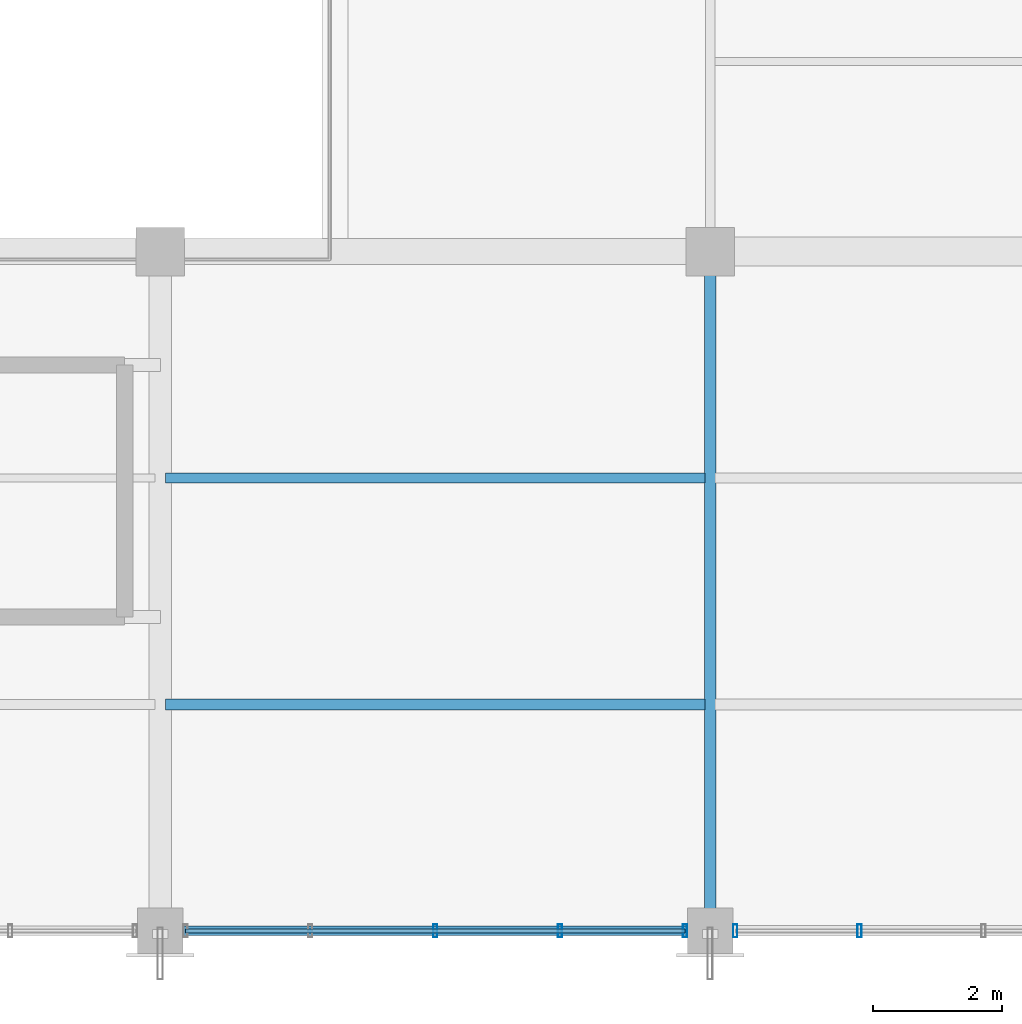
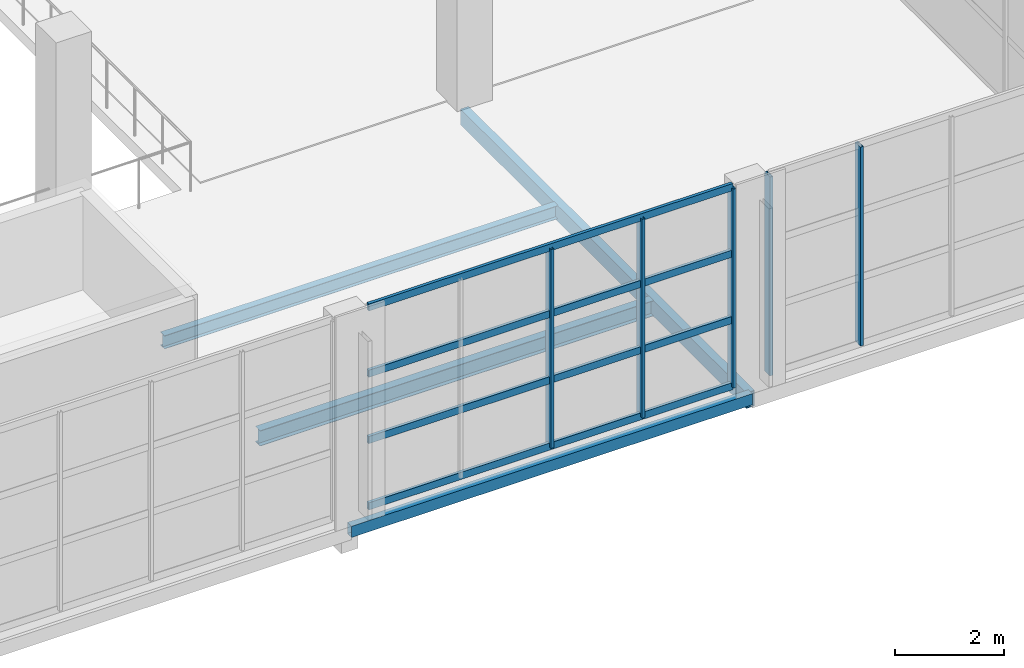
# One storey, part 24 of 112: 9 members, 4 beams, 2 elements without a shape of their own.
"""IFC4 building model written with IfcOpenShell, lengths in metres."""

from ifc_helpers import new_model, si_unit, direction, frame, origin, origin_2d, place, context, subcontext, project, spatial, hollow_rectangle, i_section, extrude, material, material_profile, profile_set, type_object, element, aggregate, save


model = new_model("IFC4")

# Units and contexts
model_context = context("Model", 3, precision=1e-05, world=origin(), true_north=direction((0.0, 1.0)))
body_context = subcontext(model_context, "Body", "Model", "MODEL_VIEW")
ifc_project = project(units=[si_unit("LENGTHUNIT", "METRE"), si_unit("AREAUNIT", "SQUARE_METRE"), si_unit("VOLUMEUNIT", "CUBIC_METRE"), si_unit("PLANEANGLEUNIT", "RADIAN"), si_unit("MASSUNIT", "GRAM", prefix="KILO")], contexts=[model_context])

# Site, building, storey
site_placement = place(None, origin())
site = spatial("IfcSite", under=ifc_project, at=site_placement, CompositionType="ELEMENT")
building_placement = place(site_placement, origin())
building = spatial("IfcBuilding", under=site, at=building_placement, Name="Solvikara Media Centre", CompositionType="ELEMENT")
storey_placement = place(building_placement, frame((0.0, 0.0, 5.39990234375)))
storey = spatial("IfcBuildingStorey", under=building, at=storey_placement, Name="L01", CompositionType="ELEMENT", Elevation=5.39990234375)

# Beams
ifc_material_1 = material(Name="Steel S355JR", Category="steel")
ifc_material_profile_1 = material_profile(ifc_material_1, hollow_rectangle(XDim=0.175048828125, YDim=0.35009765625, WallThickness=0.010009765625, at=origin_2d()), Name="RHS 350x175x10")
ifc_profile_set_1 = profile_set([ifc_material_profile_1], Name="Steel S355JR")
beam_type_1 = type_object("IfcBeamType", Name="BM-34", PredefinedType="SPANDREL", material=ifc_profile_set_1)
beam_1_placement = place(storey_placement, frame((68.0, 0.0, -0.43701171875), z_axis=(0.0, 1.0, 0.0), x_axis=(-1.0, 0.0, 0.0)))
element("IfcBeam", 1, at=beam_1_placement, inside=storey, type_object=beam_type_1, Name="B-L01-Y0592", PredefinedType="SPANDREL", context=body_context, shape_type="SweptSolid", body=[
    extrude(hollow_rectangle(XDim=0.175048828125, YDim=0.35009765625, WallThickness=0.010009765625, at=origin_2d()), origin(), (0.0, 0.0, 1.0), 10.5),
])
ifc_material_profile_2 = material_profile(ifc_material_1, hollow_rectangle(XDim=0.14990234375, YDim=0.25, WallThickness=0.008056640625, at=origin_2d()), Name="RHS 250x150x8")
ifc_profile_set_2 = profile_set([ifc_material_profile_2], Name="Steel S355JR")
beam_type_2 = type_object("IfcBeamType", Name="BM-36", PredefinedType="JOIST", material=ifc_profile_set_2)
beam_2_placement = place(storey_placement, frame((59.5, 0.0, -0.386962890625), z_axis=(1.0, 0.0, 0.0), x_axis=(0.0, 1.0, 0.0)))
element("IfcBeam", 2, at=beam_2_placement, inside=storey, type_object=beam_type_2, Name="B-L01-X0446", PredefinedType="JOIST", context=body_context, shape_type="SweptSolid", body=[
    extrude(hollow_rectangle(XDim=0.14990234375, YDim=0.25, WallThickness=0.008056640625, at=origin_2d()), origin(), (0.0, 0.0, 1.0), 8.5),
])
ifc_material_profile_3 = material_profile(ifc_material_1, i_section(OverallWidth=0.174072265625, OverallDepth=0.345947265625, WebThickness=0.006103515625, FlangeThickness=0.009033203125, at=origin_2d()), Name="WF 346x174x6x9")
ifc_profile_set_3 = profile_set([ifc_material_profile_3], Name="Steel S355JR")
beam_type_3 = type_object("IfcBeamType", Name="BM-38", PredefinedType="JOIST", material=ifc_profile_set_3)
beam_3_placement = place(storey_placement, frame((59.577880859375, 3.5, -0.434814453125), z_axis=(1.0, 0.0, 0.0), x_axis=(0.0, 1.0, 0.0)))
element("IfcBeam", 3, at=beam_3_placement, inside=storey, type_object=beam_type_3, Name="J-L01-0750", PredefinedType="JOIST", context=body_context, shape_type="SweptSolid", body=[
    extrude(i_section(OverallWidth=0.174072265625, OverallDepth=0.345947265625, WebThickness=0.006103515625, FlangeThickness=0.009033203125, at=origin_2d()), origin(), (0.0, 0.0, 1.0), 8.34423828125),
])
ifc_material_profile_4 = material_profile(ifc_material_1, i_section(OverallWidth=0.14892578125, OverallDepth=0.298095703125, WebThickness=0.005615234375, FlangeThickness=0.008056640625, at=origin_2d()), Name="WF 298x149x5.5x8")
ifc_profile_set_4 = profile_set([ifc_material_profile_4], Name="Steel S355JR")
beam_type_4 = type_object("IfcBeamType", Name="BM-39", PredefinedType="JOIST", material=ifc_profile_set_4)
beam_4_placement = place(storey_placement, frame((59.577880859375, 7.0, -0.410888671875), z_axis=(1.0, 0.0, 0.0), x_axis=(0.0, 1.0, 0.0)))
element("IfcBeam", 4, at=beam_4_placement, inside=storey, type_object=beam_type_4, Name="J-L01-0751", PredefinedType="JOIST", context=body_context, shape_type="SweptSolid", body=[
    extrude(i_section(OverallWidth=0.14892578125, OverallDepth=0.298095703125, WebThickness=0.005615234375, FlangeThickness=0.008056640625, at=origin_2d()), origin(), (0.0, 0.0, 1.0), 8.34423828125),
])

# Curtain wall, members
ifc_material_2 = material(Name="Anodised aluminium EN AW-6063", Category="aluminium")
curtain_wall_type = type_object("IfcCurtainWallType", Name="CW-04", PredefinedType="NOTDEFINED", material=ifc_material_2)
curtain_wall_1_placement = place(storey_placement, origin())
curtain_wall_1 = element("IfcCurtainWall", 5, at=curtain_wall_1_placement, inside=storey, type_object=curtain_wall_type, Name="CW-L01-V6S-4", PredefinedType="NOTDEFINED")
ifc_material_profile_5 = material_profile(ifc_material_2, hollow_rectangle(XDim=0.06494140625, YDim=0.199951171875, WallThickness=0.00390625, at=origin_2d()), Name="ALU-M 65x200x4")
ifc_profile_set_5 = profile_set([ifc_material_profile_5], Name="Anodised aluminium EN AW-6063")
member_type_1 = type_object("IfcMemberType", Name="MF-02", PredefinedType="MULLION", material=ifc_profile_set_5)
member_1_placement = place(storey_placement, frame((63.75, 0.0, 0.02001953125), z_axis=(0.0, 0.0, 1.0), x_axis=(1.0, 0.0, 0.0)))
member_1 = element("IfcMember", 6, at=member_1_placement, type_object=member_type_1, Name="CW-L01-V6S-4-M02", PredefinedType="MULLION", context=body_context, shape_type="SweptSolid", body=[
    extrude(hollow_rectangle(XDim=0.06494140625, YDim=0.199951171875, WallThickness=0.00390625, at=origin_2d()), origin(), (0.0, 0.0, 1.0), 4.4599609375),
])
member_2_placement = place(storey_placement, frame((65.679931640625, 0.0, 0.02001953125), z_axis=(0.0, 0.0, 1.0), x_axis=(1.0, 0.0, 0.0)))
member_2 = element("IfcMember", 7, at=member_2_placement, type_object=member_type_1, Name="CW-L01-V6S-4-M03", PredefinedType="MULLION", context=body_context, shape_type="SweptSolid", body=[
    extrude(hollow_rectangle(XDim=0.06494140625, YDim=0.199951171875, WallThickness=0.00390625, at=origin_2d()), origin(), (0.0, 0.0, 1.0), 4.4599609375),
])
member_3_placement = place(storey_placement, frame((67.610107421875, 0.0, 0.02001953125), z_axis=(0.0, 0.0, 1.0), x_axis=(1.0, 0.0, 0.0)))
member_3 = element("IfcMember", 8, at=member_3_placement, type_object=member_type_1, Name="CW-L01-V6S-4-M04", PredefinedType="MULLION", context=body_context, shape_type="SweptSolid", body=[
    extrude(hollow_rectangle(XDim=0.06494140625, YDim=0.199951171875, WallThickness=0.00390625, at=origin_2d()), origin(), (0.0, 0.0, 1.0), 4.4599609375),
])

curtain_wall_2_placement = place(storey_placement, origin())
curtain_wall_2 = element("IfcCurtainWall", 9, at=curtain_wall_2_placement, inside=storey, type_object=curtain_wall_type, Name="CW-L01-V6S-5", PredefinedType="NOTDEFINED")
member_4_placement = place(storey_placement, frame((68.389892578125, 0.0, 0.02001953125), z_axis=(0.0, 0.0, 1.0), x_axis=(1.0, 0.0, 0.0)))
member_4 = element("IfcMember", 10, at=member_4_placement, type_object=member_type_1, Name="CW-L01-V6S-5-M00", PredefinedType="MULLION", context=body_context, shape_type="SweptSolid", body=[
    extrude(hollow_rectangle(XDim=0.06494140625, YDim=0.199951171875, WallThickness=0.00390625, at=origin_2d()), origin(), (0.0, 0.0, 1.0), 4.4599609375),
])
member_5_placement = place(storey_placement, frame((70.30810546875, 0.0, 0.02001953125), z_axis=(0.0, 0.0, 1.0), x_axis=(1.0, 0.0, 0.0)))
member_5 = element("IfcMember", 11, at=member_5_placement, type_object=member_type_1, Name="CW-L01-V6S-5-M01", PredefinedType="MULLION", context=body_context, shape_type="SweptSolid", body=[
    extrude(hollow_rectangle(XDim=0.06494140625, YDim=0.199951171875, WallThickness=0.00390625, at=origin_2d()), origin(), (0.0, 0.0, 1.0), 4.4599609375),
])
aggregate(curtain_wall_2, [member_4, member_5])

# Member
ifc_material_profile_6 = material_profile(ifc_material_2, hollow_rectangle(XDim=0.06494140625, YDim=0.159912109375, WallThickness=0.00341796875, at=origin_2d()), Name="ALU-T 65x160x3.5")
ifc_profile_set_6 = profile_set([ifc_material_profile_6], Name="Anodised aluminium EN AW-6063")
member_type_2 = type_object("IfcMemberType", Name="MF-08", PredefinedType="USERDEFINED", material=ifc_profile_set_6)
member_6_placement = place(storey_placement, frame((59.889892578125, 0.0, 0.02001953125), z_axis=(1.0, 0.0, 0.0), x_axis=(0.0, 1.0, 0.0)))
member_6 = element("IfcMember", 12, at=member_6_placement, type_object=member_type_2, Name="CW-L01-V6S-4-T00", ObjectType="TRANSOM", PredefinedType="USERDEFINED", context=body_context, shape_type="SweptSolid", body=[
    extrude(hollow_rectangle(XDim=0.06494140625, YDim=0.159912109375, WallThickness=0.00341796875, at=origin_2d()), origin(), (0.0, 0.0, 1.0), 7.72021484375),
])

member_7_placement = place(storey_placement, frame((59.889892578125, 0.0, 1.507080078125), z_axis=(1.0, 0.0, 0.0), x_axis=(0.0, 1.0, 0.0)))
member_7 = element("IfcMember", 13, at=member_7_placement, type_object=member_type_2, Name="CW-L01-V6S-4-T01", ObjectType="TRANSOM", PredefinedType="USERDEFINED", context=body_context, shape_type="SweptSolid", body=[
    extrude(hollow_rectangle(XDim=0.06494140625, YDim=0.159912109375, WallThickness=0.00341796875, at=origin_2d()), origin(), (0.0, 0.0, 1.0), 7.72021484375),
])

member_8_placement = place(storey_placement, frame((59.889892578125, 0.0, 2.9931640625), z_axis=(1.0, 0.0, 0.0), x_axis=(0.0, 1.0, 0.0)))
member_8 = element("IfcMember", 14, at=member_8_placement, type_object=member_type_2, Name="CW-L01-V6S-4-T02", ObjectType="TRANSOM", PredefinedType="USERDEFINED", context=body_context, shape_type="SweptSolid", body=[
    extrude(hollow_rectangle(XDim=0.06494140625, YDim=0.159912109375, WallThickness=0.00341796875, at=origin_2d()), origin(), (0.0, 0.0, 1.0), 7.72021484375),
])

member_9_placement = place(storey_placement, frame((59.889892578125, 0.0, 4.47998046875), z_axis=(1.0, 0.0, 0.0), x_axis=(0.0, 1.0, 0.0)))
member_9 = element("IfcMember", 15, at=member_9_placement, type_object=member_type_2, Name="CW-L01-V6S-4-T03", ObjectType="TRANSOM", PredefinedType="USERDEFINED", context=body_context, shape_type="SweptSolid", body=[
    extrude(hollow_rectangle(XDim=0.06494140625, YDim=0.159912109375, WallThickness=0.00341796875, at=origin_2d()), origin(), (0.0, 0.0, 1.0), 7.72021484375),
])

aggregate(curtain_wall_1, [member_1, member_2, member_3, member_6, member_7, member_8, member_9])

save(model, "model.ifc")
